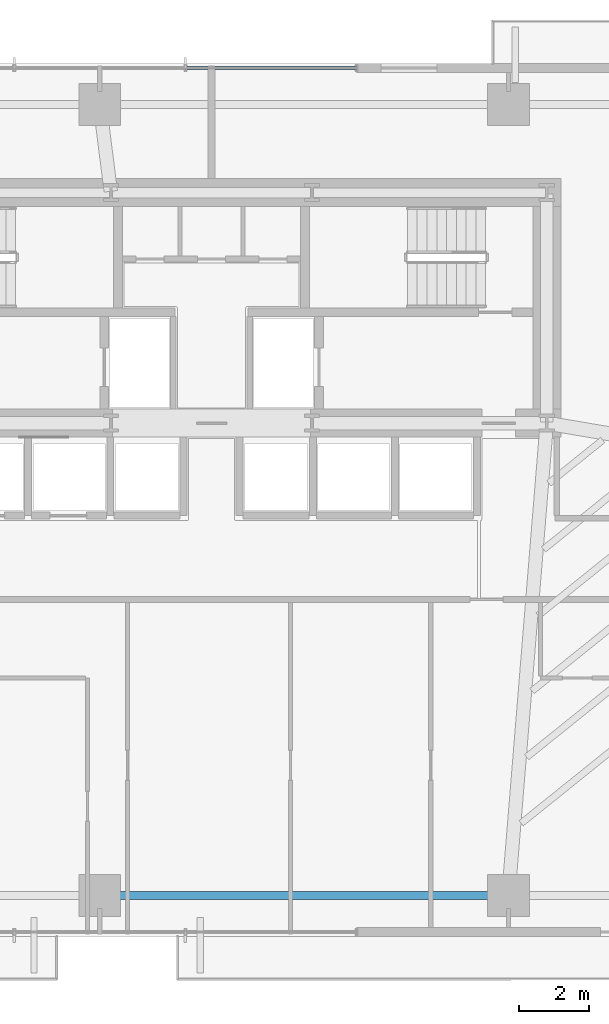
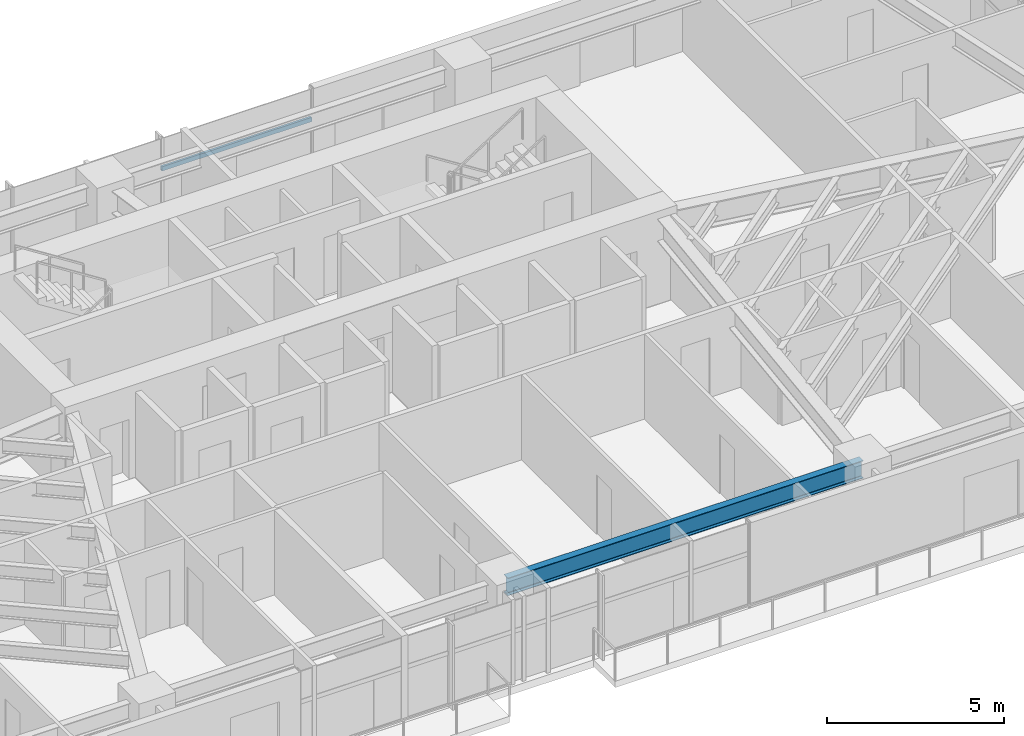
# One storey, part 11 of 25: 1 beam, 1 member, 1 element without a shape of its own.
"""IFC4 building model written with IfcOpenShell, lengths in metres."""

from ifc_helpers import new_model, si_unit, direction, frame, origin, origin_2d, place, context, subcontext, project, spatial, hollow_rectangle, i_section, extrude, source, transform, mapped, material, material_profile, profile_set, type_object, type_shapes, element, aggregate, save


model = new_model("IFC4")

# Units and contexts
model_context = context("Model", 3, precision=1e-05, world=origin(), true_north=direction((0.0, 1.0)))
body_context = subcontext(model_context, "Body", "Model", "MODEL_VIEW")
ifc_project = project(units=[si_unit("LENGTHUNIT", "METRE"), si_unit("AREAUNIT", "SQUARE_METRE"), si_unit("VOLUMEUNIT", "CUBIC_METRE"), si_unit("PLANEANGLEUNIT", "RADIAN"), si_unit("MASSUNIT", "GRAM", prefix="KILO")], contexts=[model_context])

# Site, building, storey
site_placement = place(None, origin())
site = spatial("IfcSite", under=ifc_project, at=site_placement, CompositionType="ELEMENT")
building_placement = place(site_placement, origin())
building = spatial("IfcBuilding", under=site, at=building_placement, Name="Astriad Promenade Condominiums", CompositionType="ELEMENT")
storey_placement = place(building_placement, frame((0.0, 0.0, 29.39990234375)))
storey = spatial("IfcBuildingStorey", under=building, at=storey_placement, Name="L07", CompositionType="ELEMENT", Elevation=29.39990234375)

# Beam
ifc_material_1 = material(Name="Steel ASTM A992 Grade 50", Category="steel")
ifc_material_profile_1 = material_profile(ifc_material_1, i_section(OverallWidth=0.22900390625, OverallDepth=0.612060546875, WebThickness=0.011962890625, FlangeThickness=0.01953125, FilletRadius=0.017822265625, at=origin_2d()), Name="W24X84")
ifc_profile_set_1 = profile_set([ifc_material_profile_1], Name="Steel ASTM A992 Grade 50")
beam_type = type_object("IfcBeamType", Name="STEEL SPANDREL BEAM W24X84", PredefinedType="SPANDREL", material=ifc_profile_set_1)
shared_shape_1 = source(origin(), body_context, "Body", "SweptSolid", [
    extrude(i_section(OverallWidth=0.22900390625, OverallDepth=0.612060546875, WebThickness=0.011962890625, FlangeThickness=0.01953125, FilletRadius=0.017822265625, at=origin_2d()), origin(), (0.0, 0.0, 1.0), 11.619873046875),
])
type_shapes(beam_type, [shared_shape_1])
beam_placement = place(storey_placement, frame((32.840087890625, 3.8798828125, 2.634033203125), z_axis=(1.0, 0.0, 0.0), x_axis=(0.0, 1.0, 0.0)))
element("IfcBeam", 1, at=beam_placement, inside=storey, type_object=beam_type, Name="Perimeter Spandrel Beam SP-S3-L07", PredefinedType="SPANDREL", context=body_context, shape_type="MappedRepresentation", body=[
    mapped(shared_shape_1, transform((0.0, 0.0, 0.0), scale=1.0)),
])

# Curtain wall, member
ifc_material_2 = material(Name="Anodised aluminium Black Dark Glass Unitised", Category="aluminium")
curtain_wall_type = type_object("IfcCurtainWallType", Name="CW-B1-DARK", PredefinedType="USERDEFINED", material=ifc_material_2)
curtain_wall_placement = place(storey_placement, origin())
curtain_wall = element("IfcCurtainWall", 2, at=curtain_wall_placement, inside=storey, type_object=curtain_wall_type, Name="CW-L07-N", ObjectType="UNITISED_CURTAIN_WALL", PredefinedType="USERDEFINED")
ifc_material_3 = material(Name="Anodised aluminium 6063-T6 Black", Category="aluminium")
ifc_material_profile_2 = material_profile(ifc_material_3, hollow_rectangle(XDim=0.074951171875, YDim=0.14990234375, WallThickness=0.004150390625, at=origin_2d()), Name="ALU-TRN-75X150")
ifc_profile_set_2 = profile_set([ifc_material_profile_2], Name="Anodised aluminium 6063-T6 Black")
member_type = type_object("IfcMemberType", Name="TRN-ALU-TRN-75X150", PredefinedType="USERDEFINED", material=ifc_profile_set_2)
shared_shape_2 = source(origin(), body_context, "Body", "SweptSolid", [
    extrude(hollow_rectangle(XDim=0.074951171875, YDim=0.14990234375, WallThickness=0.004150390625, at=origin_2d()), origin(), (0.0, 0.0, 1.0), 4.89990234375),
])
type_shapes(member_type, [shared_shape_2])
member_placement = place(storey_placement, frame((35.25, 27.570068359375, 1.822998046875), z_axis=(1.0, 0.0, 0.0), x_axis=(0.0, 1.0, 0.0)))
member = element("IfcMember", 3, at=member_placement, type_object=member_type, Name="CW-L07-N-TRN-02-0", ObjectType="TRANSOM", PredefinedType="USERDEFINED", context=body_context, shape_type="MappedRepresentation", body=[
    mapped(shared_shape_2, transform((0.0, 0.0, 0.0), scale=1.0)),
])
aggregate(curtain_wall, [member])

save(model, "model.ifc")
